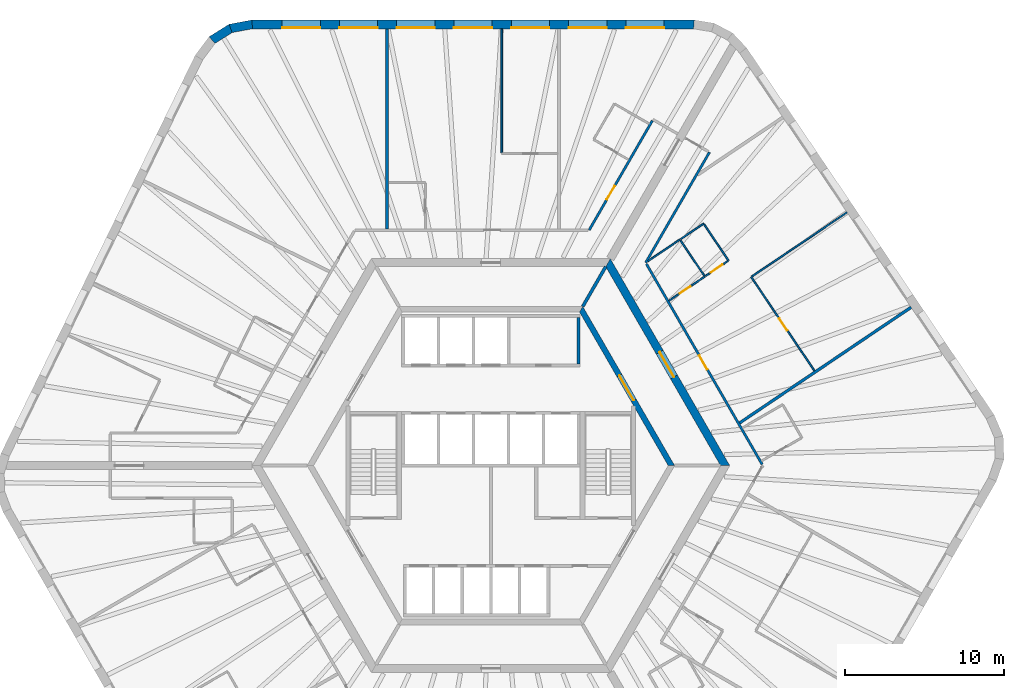
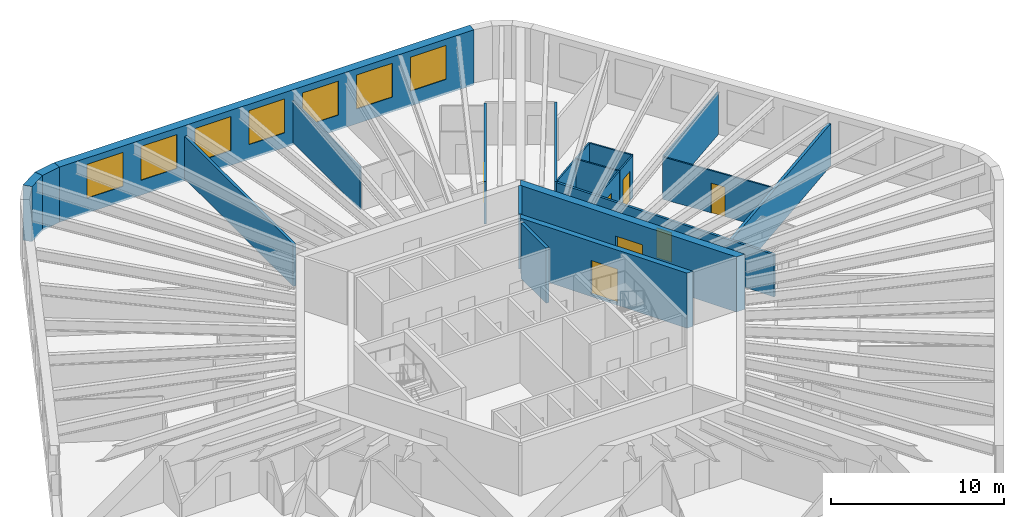
# One storey, part 8 of 10: 21 walls, 7 doors, 7 windows, 14 openings.
"""IFC4 building model written with IfcOpenShell, lengths in metres."""

from ifc_helpers import new_model, si_unit, direction, frame, frame_2d, origin, place, context, subcontext, project, spatial, polyline, rectangle, outline, extrude, material, layer, layer_set, type_object, element, fill, save


model = new_model("IFC4")

# Units and contexts
model_context = context("Model", 3, precision=1e-05, world=origin(), true_north=direction((0.0, 1.0)))
body_context = subcontext(model_context, "Body", "Model", "MODEL_VIEW")
ifc_project = project(units=[si_unit("LENGTHUNIT", "METRE"), si_unit("AREAUNIT", "SQUARE_METRE"), si_unit("VOLUMEUNIT", "CUBIC_METRE"), si_unit("PLANEANGLEUNIT", "RADIAN"), si_unit("MASSUNIT", "GRAM", prefix="KILO")], contexts=[model_context])

# Site, building, storey
site_placement = place(None, origin())
site = spatial("IfcSite", under=ifc_project, at=site_placement, CompositionType="ELEMENT")
building_placement = place(site_placement, origin())
building = spatial("IfcBuilding", under=site, at=building_placement, Name="Tarnside Tower", CompositionType="ELEMENT")
storey_placement = place(building_placement, frame((0.0, 0.0, 180.0)))
storey = spatial("IfcBuildingStorey", under=building, at=storey_placement, Name="L42", CompositionType="ELEMENT", Elevation=180.0)

# Wall
ifc_material_1 = material(Name="Gypsum board partition on steel studs", Category="steel")
ifc_layer_1 = layer(ifc_material_1, 0.10009765625)
ifc_layer_set_1 = layer_set([ifc_layer_1], Name="Bathroom wall 100")
wall_type_1 = type_object("IfcWallType", Name="Bathroom wall 100", PredefinedType="PARTITIONING", material=ifc_layer_set_1)
wall_1_placement = place(storey_placement, frame((9.8701171875, 12.845703125, 0.0), z_axis=(0.0, 0.0, 1.0), x_axis=(0.829044958406, 0.559181953341, 0.0)))
element("IfcWall", 1, at=wall_1_placement, inside=storey, type_object=wall_type_1, Name="Bathroom wall 13108", PredefinedType="PARTITIONING", context=body_context, shape_type="SweptSolid", body=[
    extrude(rectangle(XDim=2.421875, YDim=0.10009765625, at=frame_2d((1.2109375, 0.0))), origin(), (0.0, 0.0, 1.0), 2.98779296875),
])

# Wall, opening, door
wall_2_placement = place(storey_placement, frame((13.443603515625, 11.87841796875, 0.0), z_axis=(0.0, 0.0, 1.0), x_axis=(-0.829076008986, -0.559135914894, 0.0)))
wall_2 = element("IfcWall", 2, at=wall_2_placement, inside=storey, type_object=wall_type_1, Name="Bathroom wall 13109", PredefinedType="PARTITIONING", context=body_context, shape_type="SweptSolid", body=[
    extrude(rectangle(XDim=2.71337890625, YDim=0.10009765625, at=frame_2d((1.356689453125, 0.0))), origin(), (0.0, 0.0, 1.0), 2.98779296875),
])
opening_1_placement = place(wall_2_placement, frame((1.10009765625, 0.0, 0.0)))
opening_1 = element("IfcOpeningElement", 3, at=opening_1_placement, cuts=wall_2, Name="Opening D-B1", PredefinedType="OPENING", context=body_context, shape_type="SweptSolid", body=[
    extrude(rectangle(XDim=0.800048828125, YDim=2.10009765625, at=frame_2d((0.39990234375, 1.050048828125))), frame((0.0, 0.06005859375, 0.0), z_axis=(0.0, -1.0, 0.0), x_axis=(1.0, 0.0, 0.0)), (0.0, 0.0, 1.0), 0.1201171875),
])
ifc_material_2 = material(Name="Timber door leaf", Category="wood")
door_type_1 = type_object("IfcDoorType", Name="Bathroom door 800", OperationType="NOTDEFINED", PredefinedType="DOOR", material=ifc_material_2)
door_1_placement = place(opening_1_placement, origin())
door_1 = element("IfcDoor", 4, at=door_1_placement, inside=storey, type_object=door_type_1, Name="Bathroom door 13032", OperationType="SINGLE_SWING_LEFT", OverallHeight=2.10009765625, OverallWidth=0.800048828125, PredefinedType="DOOR", context=body_context, shape_type="SweptSolid", body=[
    extrude(rectangle(XDim=0.800048828125, YDim=2.10009765625, at=frame_2d((0.39990234375, 1.050048828125))), frame((0.0, 0.02490234375, 0.0), z_axis=(0.0, -1.0, 0.0), x_axis=(1.0, 0.0, 0.0)), (0.0, 0.0, 1.0), 0.050048828125),
])
fill(opening_1, door_1)

# Wall
wall_3_placement = place(storey_placement, frame((13.41552734375, 11.919921875, 0.0), z_axis=(0.0, 0.0, 1.0), x_axis=(-0.559157567313, 0.829061405999, 0.0)))
element("IfcWall", 5, at=wall_3_placement, inside=storey, type_object=wall_type_1, Name="Bathroom wall 13116", PredefinedType="PARTITIONING", context=body_context, shape_type="SweptSolid", body=[
    extrude(rectangle(XDim=2.699951171875, YDim=0.10009765625, at=frame_2d((1.35009765625, 0.0))), origin(), (0.0, 0.0, 1.0), 2.98779296875),
])

# Wall, opening, door
ifc_material_3 = material(Name="Concrete C50/60", Category="concrete")
ifc_layer_2 = layer(ifc_material_3, 0.35009765625)
ifc_layer_set_2 = layer_set([ifc_layer_2], Name="Core block wall 350 C50/60")
wall_type_2 = type_object("IfcWallType", Name="Core block wall 350 C50/60", PredefinedType="SHEAR", material=ifc_layer_set_2)
wall_4_placement = place(storey_placement, frame((11.344970703125, 0.0, -0.14990234375), z_axis=(0.0, 0.0, 1.0), x_axis=(-0.499995046907, 0.866028263435, 0.0)))
wall_4 = element("IfcWall", 6, at=wall_4_placement, inside=storey, type_object=wall_type_2, Name="L42 core block wall face 6", PredefinedType="SHEAR", context=body_context, shape_type="SweptSolid", body=[
    extrude(outline(polyline([(-0.10107421875, -0.175048828125), (11.44580078125, -0.175048828125), (11.24365234375, 0.175048828125), (0.10107421875, 0.175048828125), (-0.10107421875, -0.175048828125)])), origin(), (0.0, 0.0, 1.0), 3.89990234375),
])
opening_2_placement = place(wall_4_placement, frame((4.74365234375, 0.0, 0.14990234375)))
opening_2 = element("IfcOpeningElement", 7, at=opening_2_placement, cuts=wall_4, Name="Opening CD-LOB", PredefinedType="OPENING", context=body_context, shape_type="SweptSolid", body=[
    extrude(rectangle(XDim=1.800048828125, YDim=2.39990234375, at=frame_2d((0.89990234375, 1.199951171875))), frame((0.0, 0.18505859375, 0.0), z_axis=(0.0, -1.0, 0.0), x_axis=(1.0, 0.0, 0.0)), (0.0, 0.0, 1.0), 0.3701171875),
])
ifc_material_4 = material(Name="Steel fire door", Category="steel")
door_type_2 = type_object("IfcDoorType", Name="Lobby double door FD30S 1800x2400", OperationType="NOTDEFINED", PredefinedType="DOOR", material=ifc_material_4)
door_2_placement = place(opening_2_placement, origin())
door_2 = element("IfcDoor", 8, at=door_2_placement, inside=storey, type_object=door_type_2, Name="L42 lobby block door P2", OperationType="DOUBLE_DOOR_SINGLE_SWING", OverallHeight=2.39990234375, OverallWidth=1.800048828125, PredefinedType="DOOR", context=body_context, shape_type="SweptSolid", body=[
    extrude(rectangle(XDim=1.800048828125, YDim=2.39990234375, at=frame_2d((0.89990234375, 1.199951171875))), frame((0.0, 0.02490234375, 0.0), z_axis=(0.0, -1.0, 0.0), x_axis=(1.0, 0.0, 0.0)), (0.0, 0.0, 1.0), 0.050048828125),
])
fill(opening_2, door_2)

ifc_material_5 = material(Name="Concrete C70/85", Category="concrete")
ifc_layer_3 = layer(ifc_material_5, 0.5)
ifc_layer_set_3 = layer_set([ifc_layer_3], Name="Core wall Z2 500 C70/85")
wall_type_3 = type_object("IfcWallType", Name="Core wall Z2 500 C70/85", PredefinedType="SHEAR", material=ifc_layer_set_3)
wall_5_placement = place(storey_placement, frame((14.722412109375, 0.0, -0.14990234375), z_axis=(0.0, 0.0, 1.0), x_axis=(-0.50000571537, 0.866022103989, 0.0)))
wall_5 = element("IfcWall", 9, at=wall_5_placement, inside=storey, type_object=wall_type_3, Name="L42 core wall face 6", PredefinedType="SHEAR", context=body_context, shape_type="SweptSolid", body=[
    extrude(outline(polyline([(-0.144287109375, -0.25), (14.86669921875, -0.25), (14.578125, 0.25), (0.144287109375, 0.25), (-0.144287109375, -0.25)])), origin(), (0.0, 0.0, 1.0), 3.89990234375),
])
opening_3_placement = place(wall_5_placement, frame((6.432373046875, 0.0, 0.14990234375)))
opening_3 = element("IfcOpeningElement", 10, at=opening_3_placement, cuts=wall_5, Name="Opening CD-LOB", PredefinedType="OPENING", context=body_context, shape_type="SweptSolid", body=[
    extrude(rectangle(XDim=1.800048828125, YDim=2.39990234375, at=frame_2d((0.89990234375, 1.199951171875))), frame((0.0, 0.260009765625, 0.0), z_axis=(0.0, -1.0, 0.0), x_axis=(1.0, 0.0, 0.0)), (0.0, 0.0, 1.0), 0.52001953125),
])
door_3_placement = place(opening_3_placement, origin())
door_3 = element("IfcDoor", 11, at=door_3_placement, inside=storey, type_object=door_type_2, Name="L42 core door P2", OperationType="DOUBLE_DOOR_SINGLE_SWING", OverallHeight=2.39990234375, OverallWidth=1.800048828125, PredefinedType="DOOR", context=body_context, shape_type="SweptSolid", body=[
    extrude(rectangle(XDim=1.800048828125, YDim=2.39990234375, at=frame_2d((0.89990234375, 1.199951171875))), frame((0.0, 0.02490234375, 0.0), z_axis=(0.0, -1.0, 0.0), x_axis=(1.0, 0.0, 0.0)), (0.0, 0.0, 1.0), 0.050048828125),
])
fill(opening_3, door_3)

ifc_layer_4 = layer(ifc_material_1, 0.14990234375)
ifc_layer_set_4 = layer_set([ifc_layer_4], Name="Corridor wall 150 EI 60")
wall_type_4 = type_object("IfcWallType", Name="Corridor wall 150 EI 60", PredefinedType="PARTITIONING", material=ifc_layer_set_4)
wall_6_placement = place(storey_placement, frame((10.148681640625, 21.677978515625, 0.0), z_axis=(0.0, 0.0, 1.0), x_axis=(-0.499997422768, -0.866026891745, 0.0)))
wall_6 = element("IfcWall", 12, at=wall_6_placement, inside=storey, type_object=wall_type_4, Name="Corridor wall 13001", PredefinedType="PARTITIONING", context=body_context, shape_type="SweptSolid", body=[
    extrude(rectangle(XDim=7.94189453125, YDim=0.14990234375, at=frame_2d((3.970947265625, 0.0))), origin(), (0.0, 0.0, 1.0), 2.98779296875),
])
opening_4_placement = place(wall_6_placement, frame((4.7333984375, 0.0, 0.0)))
opening_4 = element("IfcOpeningElement", 13, at=opening_4_placement, cuts=wall_6, Name="Opening D-E1", PredefinedType="OPENING", context=body_context, shape_type="SweptSolid", body=[
    extrude(rectangle(XDim=1.0, YDim=2.10009765625, at=frame_2d((0.5, 1.050048828125))), frame((0.0, 0.0849609375, 0.0), z_axis=(0.0, -1.0, 0.0), x_axis=(1.0, 0.0, 0.0)), (0.0, 0.0, 1.0), 0.169921875),
])
door_type_3 = type_object("IfcDoorType", Name="Unit entrance door 1000 FD30S", OperationType="NOTDEFINED", PredefinedType="DOOR", material=ifc_material_2)
door_4_placement = place(opening_4_placement, origin())
door_4 = element("IfcDoor", 14, at=door_4_placement, inside=storey, type_object=door_type_3, Name="Unit door 13001", OperationType="SINGLE_SWING_LEFT", OverallHeight=2.10009765625, OverallWidth=1.0, PredefinedType="DOOR", context=body_context, shape_type="SweptSolid", body=[
    extrude(rectangle(XDim=1.0, YDim=2.10009765625, at=frame_2d((0.5, 1.050048828125))), frame((0.0, 0.02490234375, 0.0), z_axis=(0.0, -1.0, 0.0), x_axis=(1.0, 0.0, 0.0)), (0.0, 0.0, 1.0), 0.050048828125),
])
fill(opening_4, door_4)

wall_7_placement = place(storey_placement, frame((17.04638671875, 0.074951171875, 0.0), z_axis=(0.0, 0.0, 1.0), x_axis=(-0.499999403554, 0.866025748143, 0.0)))
wall_7 = element("IfcWall", 15, at=wall_7_placement, inside=storey, type_object=wall_type_4, Name="Corridor wall 13040", PredefinedType="PARTITIONING", context=body_context, shape_type="SweptSolid", body=[
    extrude(rectangle(XDim=14.54931640625, YDim=0.14990234375, at=frame_2d((7.274658203125, 0.0))), origin(), (0.0, 0.0, 1.0), 2.98779296875),
])
opening_5_placement = place(wall_7_placement, frame((6.90087890625, 0.0, 0.0)))
opening_5 = element("IfcOpeningElement", 16, at=opening_5_placement, cuts=wall_7, Name="Opening D-E1", PredefinedType="OPENING", context=body_context, shape_type="SweptSolid", body=[
    extrude(rectangle(XDim=1.0, YDim=2.10009765625, at=frame_2d((0.5, 1.050048828125))), frame((0.0, 0.0849609375, 0.0), z_axis=(0.0, -1.0, 0.0), x_axis=(1.0, 0.0, 0.0)), (0.0, 0.0, 1.0), 0.169921875),
])
door_5_placement = place(opening_5_placement, origin())
door_5 = element("IfcDoor", 17, at=door_5_placement, inside=storey, type_object=door_type_3, Name="Unit door 13031", OperationType="SINGLE_SWING_RIGHT", OverallHeight=2.10009765625, OverallWidth=1.0, PredefinedType="DOOR", context=body_context, shape_type="SweptSolid", body=[
    extrude(rectangle(XDim=1.0, YDim=2.10009765625, at=frame_2d((0.5, 1.050048828125))), frame((0.0, 0.02490234375, 0.0), z_axis=(0.0, -1.0, 0.0), x_axis=(1.0, 0.0, 0.0)), (0.0, 0.0, 1.0), 0.050048828125),
])
fill(opening_5, door_5)

# Walls
wall_8_placement = place(storey_placement, frame((9.728271484375, 12.75, 0.0), z_axis=(0.0, 0.0, 1.0), x_axis=(0.500007149838, 0.866021275784, 0.0)))
element("IfcWall", 18, at=wall_8_placement, inside=storey, type_object=wall_type_4, Name="Corridor wall 13044", PredefinedType="PARTITIONING", context=body_context, shape_type="SweptSolid", body=[
    extrude(rectangle(XDim=8.01708984375, YDim=0.14990234375, at=frame_2d((4.008544921875, 0.0))), origin(), (0.0, 0.0, 1.0), 2.98779296875),
])
ifc_layer_5 = layer(ifc_material_1, 0.179931640625)
ifc_layer_set_5 = layer_set([ifc_layer_5], Name="Demising wall 180 EI 60")
wall_type_5 = type_object("IfcWallType", Name="Demising wall 180 EI 60", PredefinedType="PARTITIONING", material=ifc_layer_set_5)
wall_9_placement = place(storey_placement, frame((-6.517822265625, 27.449951171875, 0.0), z_axis=(0.0, 0.0, 1.0), x_axis=(0.0, -1.0, 0.0)))
element("IfcWall", 19, at=wall_9_placement, inside=storey, type_object=wall_type_5, Name="Demising wall 13058", PredefinedType="PARTITIONING", context=body_context, shape_type="SweptSolid", body=[
    extrude(rectangle(XDim=12.574951171875, YDim=0.179931640625, at=frame_2d((6.28759765625, 0.0))), origin(), (0.0, 0.0, 1.0), 2.98779296875),
])
wall_10_placement = place(storey_placement, frame((26.40185546875, 9.9462890625, 0.0), z_axis=(0.0, 0.0, 1.0), x_axis=(-0.829032022697, -0.559201131386, 0.0)))
element("IfcWall", 20, at=wall_10_placement, inside=storey, type_object=wall_type_5, Name="Demising wall 13106", PredefinedType="PARTITIONING", context=body_context, shape_type="SweptSolid", body=[
    extrude(rectangle(XDim=12.99462890625, YDim=0.179931640625, at=frame_2d((6.497314453125, 0.0))), origin(), (0.0, 0.0, 1.0), 2.98779296875),
])
ifc_material_6 = material(Name="Concrete C40/50", Category="concrete")
ifc_layer_6 = layer(ifc_material_6, 0.199951171875)
ifc_layer_set_6 = layer_set([ifc_layer_6], Name="Lift shaft wall 200 C40/50")
wall_type_6 = type_object("IfcWallType", Name="Lift shaft wall 200 C40/50", PredefinedType="SHEAR", material=ifc_layer_set_6)
wall_11_placement = place(storey_placement, frame((5.5, 6.39990234375, -0.25), z_axis=(0.0, 0.0, 1.0), x_axis=(0.0, 1.0, 0.0)))
element("IfcWall", 21, at=wall_11_placement, inside=storey, type_object=wall_type_6, Name="L42 lift shaft partition R16", PredefinedType="SHEAR", context=body_context, shape_type="SweptSolid", body=[
    extrude(rectangle(XDim=2.900146484375, YDim=0.199951171875, at=frame_2d((1.4501953125, 0.0))), origin(), (0.0, 0.0, 1.0), 3.89990234375),
])
wall_12_placement = place(storey_placement, frame((5.7734375, 10.0, -0.14990234375), z_axis=(0.0, 0.0, 1.0), x_axis=(0.499995765644, 0.866027848477, 0.0)))
element("IfcWall", 22, at=wall_12_placement, inside=storey, type_object=wall_type_6, Name="L42 core partition AR60", PredefinedType="SHEAR", context=body_context, shape_type="SweptSolid", body=[
    extrude(rectangle(XDim=2.88671875, YDim=0.199951171875, at=frame_2d((1.443359375, 0.0))), origin(), (0.0, 0.0, 1.0), 3.89990234375),
])
ifc_layer_7 = layer(ifc_material_1, 0.10009765625)
ifc_layer_set_7 = layer_set([ifc_layer_7], Name="Partition 100")
wall_type_7 = type_object("IfcWallType", Name="Partition 100", PredefinedType="PARTITIONING", material=ifc_layer_set_7)
wall_13_placement = place(storey_placement, frame((0.68212890625, 19.64990234375, 0.0), z_axis=(0.0, 0.0, 1.0), x_axis=(0.0, 1.0, 0.0)))
element("IfcWall", 23, at=wall_13_placement, inside=storey, type_object=wall_type_7, Name="Partition wall 13057", PredefinedType="PARTITIONING", context=body_context, shape_type="SweptSolid", body=[
    extrude(rectangle(XDim=7.800048828125, YDim=0.10009765625, at=frame_2d((3.89990234375, 0.0))), origin(), (0.0, 0.0, 1.0), 2.98779296875),
])
wall_14_placement = place(storey_placement, frame((11.919189453125, 14.227783203125, 0.0), z_axis=(0.0, 0.0, 1.0), x_axis=(0.829076640662, 0.559134978256, 0.0)))
element("IfcWall", 24, at=wall_14_placement, inside=storey, type_object=wall_type_7, Name="Partition wall 13110", PredefinedType="PARTITIONING", context=body_context, shape_type="SweptSolid", body=[
    extrude(rectangle(XDim=1.75, YDim=0.10009765625, at=frame_2d((0.875, 0.0))), origin(), (0.0, 0.0, 1.0), 2.98779296875),
])
wall_15_placement = place(storey_placement, frame((13.39794921875, 15.1650390625, 0.0), z_axis=(0.0, 0.0, 1.0), x_axis=(0.559178562802, -0.829047245278, 0.0)))
element("IfcWall", 25, at=wall_15_placement, inside=storey, type_object=wall_type_7, Name="Partition wall 13111", PredefinedType="PARTITIONING", context=body_context, shape_type="SweptSolid", body=[
    extrude(rectangle(XDim=2.750244140625, YDim=0.10009765625, at=frame_2d((1.375, 0.0))), origin(), (0.0, 0.0, 1.0), 2.98779296875),
])

# Wall, opening, door
wall_16_placement = place(storey_placement, frame((14.894287109375, 12.857177734375, 0.0), z_axis=(0.0, 0.0, 1.0), x_axis=(-0.828988508894, -0.559265636457, 0.0)))
wall_16 = element("IfcWall", 26, at=wall_16_placement, inside=storey, type_object=wall_type_7, Name="Partition wall 13112", PredefinedType="PARTITIONING", context=body_context, shape_type="SweptSolid", body=[
    extrude(rectangle(XDim=1.699951171875, YDim=0.10009765625, at=frame_2d((0.85009765625, 0.0))), origin(), (0.0, 0.0, 1.0), 2.98779296875),
])
opening_6_placement = place(wall_16_placement, frame((0.39990234375, 0.0, 0.0)))
opening_6 = element("IfcOpeningElement", 27, at=opening_6_placement, cuts=wall_16, Name="Opening D-I1", PredefinedType="OPENING", context=body_context, shape_type="SweptSolid", body=[
    extrude(rectangle(XDim=0.89990234375, YDim=2.10009765625, at=frame_2d((0.449951171875, 1.050048828125))), frame((0.0, 0.06005859375, 0.0), z_axis=(0.0, -1.0, 0.0), x_axis=(1.0, 0.0, 0.0)), (0.0, 0.0, 1.0), 0.1201171875),
])
door_type_4 = type_object("IfcDoorType", Name="Internal door 900", OperationType="NOTDEFINED", PredefinedType="DOOR", material=ifc_material_2)
door_6_placement = place(opening_6_placement, origin())
door_6 = element("IfcDoor", 28, at=door_6_placement, inside=storey, type_object=door_type_4, Name="Internal door 13033", OperationType="SINGLE_SWING_RIGHT", OverallHeight=2.10009765625, OverallWidth=0.89990234375, PredefinedType="DOOR", context=body_context, shape_type="SweptSolid", body=[
    extrude(rectangle(XDim=0.89990234375, YDim=2.10009765625, at=frame_2d((0.449951171875, 1.050048828125))), frame((0.0, 0.02490234375, 0.0), z_axis=(0.0, -1.0, 0.0), x_axis=(1.0, 0.0, 0.0)), (0.0, 0.0, 1.0), 0.050048828125),
])
fill(opening_6, door_6)

wall_17_placement = place(storey_placement, frame((20.330810546875, 5.959716796875, 0.0), z_axis=(0.0, 0.0, 1.0), x_axis=(-0.559185029686, 0.829042883435, 0.0)))
wall_17 = element("IfcWall", 29, at=wall_17_placement, inside=storey, type_object=wall_type_7, Name="Partition wall 13113", PredefinedType="PARTITIONING", context=body_context, shape_type="SweptSolid", body=[
    extrude(rectangle(XDim=7.110107421875, YDim=0.10009765625, at=frame_2d((3.55517578125, 0.0))), origin(), (0.0, 0.0, 1.0), 2.98779296875),
])
opening_7_placement = place(wall_17_placement, frame((3.06005859375, 0.0, 0.0)))
opening_7 = element("IfcOpeningElement", 30, at=opening_7_placement, cuts=wall_17, Name="Opening D-I1", PredefinedType="OPENING", context=body_context, shape_type="SweptSolid", body=[
    extrude(rectangle(XDim=0.89990234375, YDim=2.10009765625, at=frame_2d((0.449951171875, 1.050048828125))), frame((0.0, 0.06005859375, 0.0), z_axis=(0.0, -1.0, 0.0), x_axis=(1.0, 0.0, 0.0)), (0.0, 0.0, 1.0), 0.1201171875),
])
door_7_placement = place(opening_7_placement, origin())
door_7 = element("IfcDoor", 31, at=door_7_placement, inside=storey, type_object=door_type_4, Name="Internal door 13034", OperationType="SINGLE_SWING_RIGHT", OverallHeight=2.10009765625, OverallWidth=0.89990234375, PredefinedType="DOOR", context=body_context, shape_type="SweptSolid", body=[
    extrude(rectangle(XDim=0.89990234375, YDim=2.10009765625, at=frame_2d((0.449951171875, 1.050048828125))), frame((0.0, 0.02490234375, 0.0), z_axis=(0.0, -1.0, 0.0), x_axis=(1.0, 0.0, 0.0)), (0.0, 0.0, 1.0), 0.050048828125),
])
fill(opening_7, door_7)

# Wall
wall_18_placement = place(storey_placement, frame((16.396240234375, 11.882080078125, 0.0), z_axis=(0.0, 0.0, 1.0), x_axis=(0.829038554805, 0.559191447223, 0.0)))
element("IfcWall", 32, at=wall_18_placement, inside=storey, type_object=wall_type_7, Name="Partition wall 13114", PredefinedType="PARTITIONING", context=body_context, shape_type="SweptSolid", body=[
    extrude(rectangle(XDim=7.212646484375, YDim=0.10009765625, at=frame_2d((3.6064453125, 0.0))), origin(), (0.0, 0.0, 1.0), 2.98779296875),
])

# Wall, openings, windows
ifc_material_7 = material(Name="Facing brick", Category="masonry")
ifc_layer_8 = layer(ifc_material_7, 0.10205078125)
ifc_material_8 = material(Name="Concrete C60/75 precast", Category="concrete")
ifc_layer_9 = layer(ifc_material_8, 0.347900390625)
ifc_material_9 = material(Name="Mineral wool insulation")
ifc_layer_10 = layer(ifc_material_9, 0.10009765625)
ifc_layer_set_8 = layer_set([ifc_layer_8, ifc_layer_9, ifc_layer_10], Name="Tube wall 550 brick faced")
wall_type_8 = type_object("IfcWallType", Name="Tube wall 550 brick faced", PredefinedType="SOLIDWALL", material=ifc_layer_set_8)
wall_19_placement = place(storey_placement, frame((12.760986328125, 27.72509765625, -0.14990234375), z_axis=(0.0, 0.0, 1.0), x_axis=(-1.0, 0.0, 0.0)))
wall_19 = element("IfcWall", 33, at=wall_19_placement, inside=storey, type_object=wall_type_8, Name="Tube wall L42 F1 flush 00", PredefinedType="SOLIDWALL", context=body_context, shape_type="SweptSolid", body=[
    extrude(outline(polyline([(-0.0224609375, -0.27490234375), (27.783447265625, -0.27490234375), (27.732177734375, 0.27490234375), (0.0224609375, 0.27490234375), (-0.0224609375, -0.27490234375)])), origin(), (0.0, 0.0, 1.0), 3.89990234375),
])
opening_8_placement = place(wall_19_placement, frame((1.87890625, 0.0, 1.050048828125)))
opening_8 = element("IfcOpeningElement", 34, at=opening_8_placement, cuts=wall_19, Name="Opening WH", PredefinedType="OPENING", context=body_context, shape_type="SweptSolid", body=[
    extrude(rectangle(XDim=2.39990234375, YDim=2.39990234375, at=frame_2d((1.199951171875, 1.199951171875))), frame((0.0, 0.28515625, 0.0), z_axis=(0.0, -1.0, 0.0), x_axis=(1.0, 0.0, 0.0)), (0.0, 0.0, 1.0), 0.570068359375),
])
opening_9_placement = place(wall_19_placement, frame((5.47900390625, 0.0, 1.050048828125)))
opening_9 = element("IfcOpeningElement", 35, at=opening_9_placement, cuts=wall_19, Name="Opening WH", PredefinedType="OPENING", context=body_context, shape_type="SweptSolid", body=[
    extrude(rectangle(XDim=2.39990234375, YDim=2.39990234375, at=frame_2d((1.199951171875, 1.199951171875))), frame((0.0, 0.28515625, 0.0), z_axis=(0.0, -1.0, 0.0), x_axis=(1.0, 0.0, 0.0)), (0.0, 0.0, 1.0), 0.570068359375),
])
opening_10_placement = place(wall_19_placement, frame((9.078857421875, 0.0, 1.050048828125)))
opening_10 = element("IfcOpeningElement", 36, at=opening_10_placement, cuts=wall_19, Name="Opening WH", PredefinedType="OPENING", context=body_context, shape_type="SweptSolid", body=[
    extrude(rectangle(XDim=2.39990234375, YDim=2.39990234375, at=frame_2d((1.199951171875, 1.199951171875))), frame((0.0, 0.28515625, 0.0), z_axis=(0.0, -1.0, 0.0), x_axis=(1.0, 0.0, 0.0)), (0.0, 0.0, 1.0), 0.570068359375),
])
opening_11_placement = place(wall_19_placement, frame((12.678955078125, 0.0, 1.050048828125)))
opening_11 = element("IfcOpeningElement", 37, at=opening_11_placement, cuts=wall_19, Name="Opening WH", PredefinedType="OPENING", context=body_context, shape_type="SweptSolid", body=[
    extrude(rectangle(XDim=2.39990234375, YDim=2.39990234375, at=frame_2d((1.199951171875, 1.199951171875))), frame((0.0, 0.28515625, 0.0), z_axis=(0.0, -1.0, 0.0), x_axis=(1.0, 0.0, 0.0)), (0.0, 0.0, 1.0), 0.570068359375),
])
opening_12_placement = place(wall_19_placement, frame((16.27880859375, 0.0, 1.050048828125)))
opening_12 = element("IfcOpeningElement", 38, at=opening_12_placement, cuts=wall_19, Name="Opening WH", PredefinedType="OPENING", context=body_context, shape_type="SweptSolid", body=[
    extrude(rectangle(XDim=2.39990234375, YDim=2.39990234375, at=frame_2d((1.199951171875, 1.199951171875))), frame((0.0, 0.28515625, 0.0), z_axis=(0.0, -1.0, 0.0), x_axis=(1.0, 0.0, 0.0)), (0.0, 0.0, 1.0), 0.570068359375),
])
opening_13_placement = place(wall_19_placement, frame((19.87890625, 0.0, 1.050048828125)))
opening_13 = element("IfcOpeningElement", 39, at=opening_13_placement, cuts=wall_19, Name="Opening WH", PredefinedType="OPENING", context=body_context, shape_type="SweptSolid", body=[
    extrude(rectangle(XDim=2.39990234375, YDim=2.39990234375, at=frame_2d((1.199951171875, 1.199951171875))), frame((0.0, 0.28515625, 0.0), z_axis=(0.0, -1.0, 0.0), x_axis=(1.0, 0.0, 0.0)), (0.0, 0.0, 1.0), 0.570068359375),
])
opening_14_placement = place(wall_19_placement, frame((23.47900390625, 0.0, 1.050048828125)))
opening_14 = element("IfcOpeningElement", 40, at=opening_14_placement, cuts=wall_19, Name="Opening WH", PredefinedType="OPENING", context=body_context, shape_type="SweptSolid", body=[
    extrude(rectangle(XDim=2.39990234375, YDim=2.39990234375, at=frame_2d((1.199951171875, 1.199951171875))), frame((0.0, 0.28515625, 0.0), z_axis=(0.0, -1.0, 0.0), x_axis=(1.0, 0.0, 0.0)), (0.0, 0.0, 1.0), 0.570068359375),
])
ifc_material_10 = material(Name="Aluminium-framed double glazing", Category="aluminium")
window_type = type_object("IfcWindowType", Name="Hotel window 2400 x 2400", PartitioningType="DOUBLE_PANEL_VERTICAL", PredefinedType="WINDOW", material=ifc_material_10)
window_1_placement = place(opening_8_placement, frame((0.0, 0.205078125, 0.0)))
window_1 = element("IfcWindow", 41, at=window_1_placement, inside=storey, type_object=window_type, Name="E.WN.L42.F1.00", OverallHeight=2.39990234375, OverallWidth=2.39990234375, PartitioningType="DOUBLE_PANEL_VERTICAL", PredefinedType="WINDOW", context=body_context, shape_type="SweptSolid", body=[
    extrude(rectangle(XDim=2.39990234375, YDim=2.39990234375, at=frame_2d((1.199951171875, 1.199951171875))), frame((0.0, 0.030029296875, 0.0), z_axis=(0.0, -1.0, 0.0), x_axis=(1.0, 0.0, 0.0)), (0.0, 0.0, 1.0), 0.06005859375),
])
fill(opening_8, window_1)
window_2_placement = place(opening_9_placement, frame((0.0, 0.205078125, 0.0)))
window_2 = element("IfcWindow", 42, at=window_2_placement, inside=storey, type_object=window_type, Name="E.WN.L42.F1.01", OverallHeight=2.39990234375, OverallWidth=2.39990234375, PartitioningType="DOUBLE_PANEL_VERTICAL", PredefinedType="WINDOW", context=body_context, shape_type="SweptSolid", body=[
    extrude(rectangle(XDim=2.39990234375, YDim=2.39990234375, at=frame_2d((1.199951171875, 1.199951171875))), frame((0.0, 0.030029296875, 0.0), z_axis=(0.0, -1.0, 0.0), x_axis=(1.0, 0.0, 0.0)), (0.0, 0.0, 1.0), 0.06005859375),
])
fill(opening_9, window_2)
window_3_placement = place(opening_10_placement, frame((0.0, 0.205078125, 0.0)))
window_3 = element("IfcWindow", 43, at=window_3_placement, inside=storey, type_object=window_type, Name="E.WN.L42.F1.02", OverallHeight=2.39990234375, OverallWidth=2.39990234375, PartitioningType="DOUBLE_PANEL_VERTICAL", PredefinedType="WINDOW", context=body_context, shape_type="SweptSolid", body=[
    extrude(rectangle(XDim=2.39990234375, YDim=2.39990234375, at=frame_2d((1.199951171875, 1.199951171875))), frame((0.0, 0.030029296875, 0.0), z_axis=(0.0, -1.0, 0.0), x_axis=(1.0, 0.0, 0.0)), (0.0, 0.0, 1.0), 0.06005859375),
])
fill(opening_10, window_3)
window_4_placement = place(opening_11_placement, frame((0.0, 0.205078125, 0.0)))
window_4 = element("IfcWindow", 44, at=window_4_placement, inside=storey, type_object=window_type, Name="E.WN.L42.F1.03", OverallHeight=2.39990234375, OverallWidth=2.39990234375, PartitioningType="DOUBLE_PANEL_VERTICAL", PredefinedType="WINDOW", context=body_context, shape_type="SweptSolid", body=[
    extrude(rectangle(XDim=2.39990234375, YDim=2.39990234375, at=frame_2d((1.199951171875, 1.199951171875))), frame((0.0, 0.030029296875, 0.0), z_axis=(0.0, -1.0, 0.0), x_axis=(1.0, 0.0, 0.0)), (0.0, 0.0, 1.0), 0.06005859375),
])
fill(opening_11, window_4)
window_5_placement = place(opening_12_placement, frame((0.0, 0.205078125, 0.0)))
window_5 = element("IfcWindow", 45, at=window_5_placement, inside=storey, type_object=window_type, Name="E.WN.L42.F1.04", OverallHeight=2.39990234375, OverallWidth=2.39990234375, PartitioningType="DOUBLE_PANEL_VERTICAL", PredefinedType="WINDOW", context=body_context, shape_type="SweptSolid", body=[
    extrude(rectangle(XDim=2.39990234375, YDim=2.39990234375, at=frame_2d((1.199951171875, 1.199951171875))), frame((0.0, 0.030029296875, 0.0), z_axis=(0.0, -1.0, 0.0), x_axis=(1.0, 0.0, 0.0)), (0.0, 0.0, 1.0), 0.06005859375),
])
fill(opening_12, window_5)
window_6_placement = place(opening_13_placement, frame((0.0, 0.205078125, 0.0)))
window_6 = element("IfcWindow", 46, at=window_6_placement, inside=storey, type_object=window_type, Name="E.WN.L42.F1.05", OverallHeight=2.39990234375, OverallWidth=2.39990234375, PartitioningType="DOUBLE_PANEL_VERTICAL", PredefinedType="WINDOW", context=body_context, shape_type="SweptSolid", body=[
    extrude(rectangle(XDim=2.39990234375, YDim=2.39990234375, at=frame_2d((1.199951171875, 1.199951171875))), frame((0.0, 0.030029296875, 0.0), z_axis=(0.0, -1.0, 0.0), x_axis=(1.0, 0.0, 0.0)), (0.0, 0.0, 1.0), 0.06005859375),
])
fill(opening_13, window_6)
window_7_placement = place(opening_14_placement, frame((0.0, 0.205078125, 0.0)))
window_7 = element("IfcWindow", 47, at=window_7_placement, inside=storey, type_object=window_type, Name="E.WN.L42.F1.06", OverallHeight=2.39990234375, OverallWidth=2.39990234375, PartitioningType="DOUBLE_PANEL_VERTICAL", PredefinedType="WINDOW", context=body_context, shape_type="SweptSolid", body=[
    extrude(rectangle(XDim=2.39990234375, YDim=2.39990234375, at=frame_2d((1.199951171875, 1.199951171875))), frame((0.0, 0.030029296875, 0.0), z_axis=(0.0, -1.0, 0.0), x_axis=(1.0, 0.0, 0.0)), (0.0, 0.0, 1.0), 0.06005859375),
])
fill(opening_14, window_7)

# Walls
wall_20_placement = place(storey_placement, frame((-14.996826171875, 27.72509765625, -0.14990234375), z_axis=(0.0, 0.0, 1.0), x_axis=(-0.982705443133, -0.185175624845, 0.0)))
element("IfcWall", 48, at=wall_20_placement, inside=storey, type_object=wall_type_8, Name="Tube wall L42 F1 chord 01", PredefinedType="SOLIDWALL", context=body_context, shape_type="SweptSolid", body=[
    extrude(outline(polyline([(-0.025634765625, -0.27490234375), (1.430908203125, -0.27490234375), (1.327392578125, 0.27490234375), (0.025634765625, 0.27490234375), (-0.025634765625, -0.27490234375)])), origin(), (0.0, 0.0, 1.0), 3.89990234375),
])
wall_21_placement = place(storey_placement, frame((-16.35205078125, 27.4697265625, -0.14990234375), z_axis=(0.0, 0.0, 1.0), x_axis=(-0.848057977594, -0.5299034503, 0.0)))
element("IfcWall", 49, at=wall_21_placement, inside=storey, type_object=wall_type_8, Name="Tube wall L42 F1 chord 02", PredefinedType="SOLIDWALL", context=body_context, shape_type="SweptSolid", body=[
    extrude(outline(polyline([(-0.0517578125, -0.27490234375), (1.4306640625, -0.27490234375), (1.3271484375, 0.27490234375), (0.0517578125, 0.27490234375), (-0.0517578125, -0.27490234375)])), origin(), (0.0, 0.0, 1.0), 3.89990234375),
])

save(model, "model.ifc")
